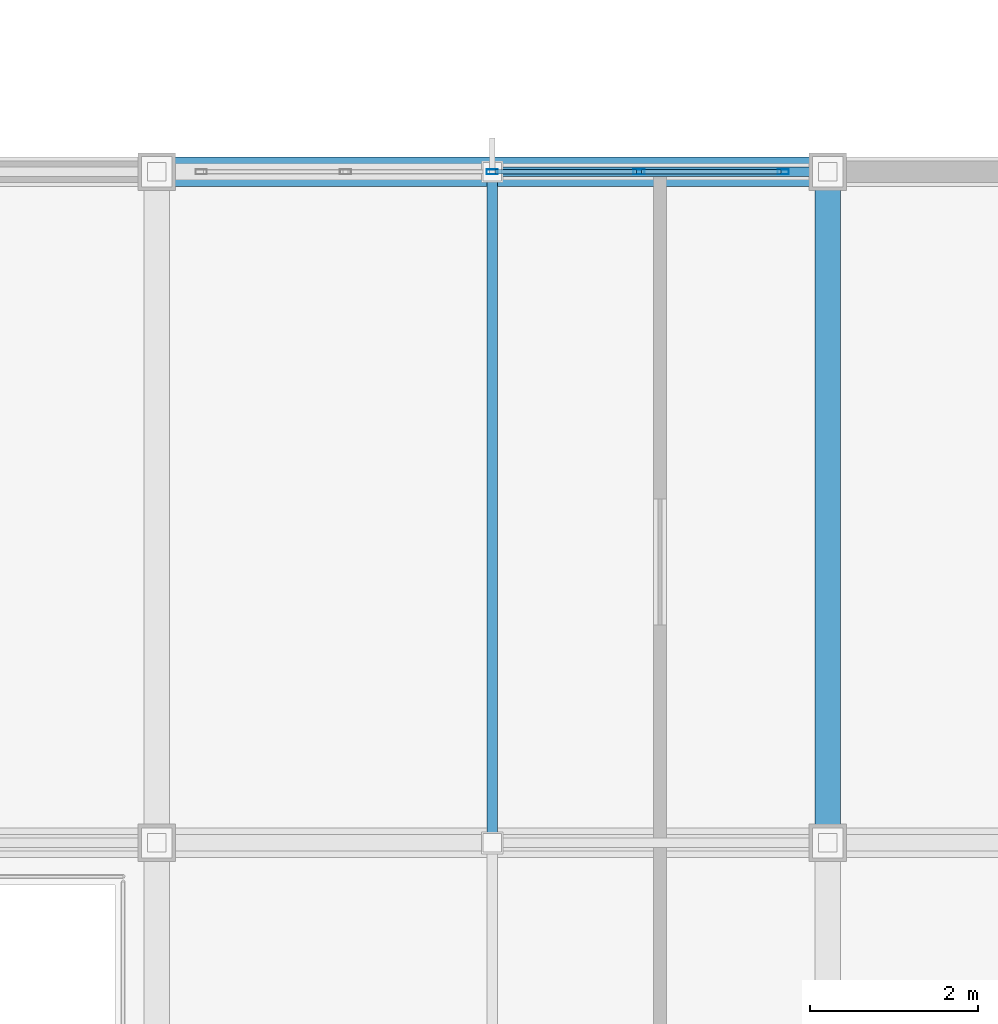
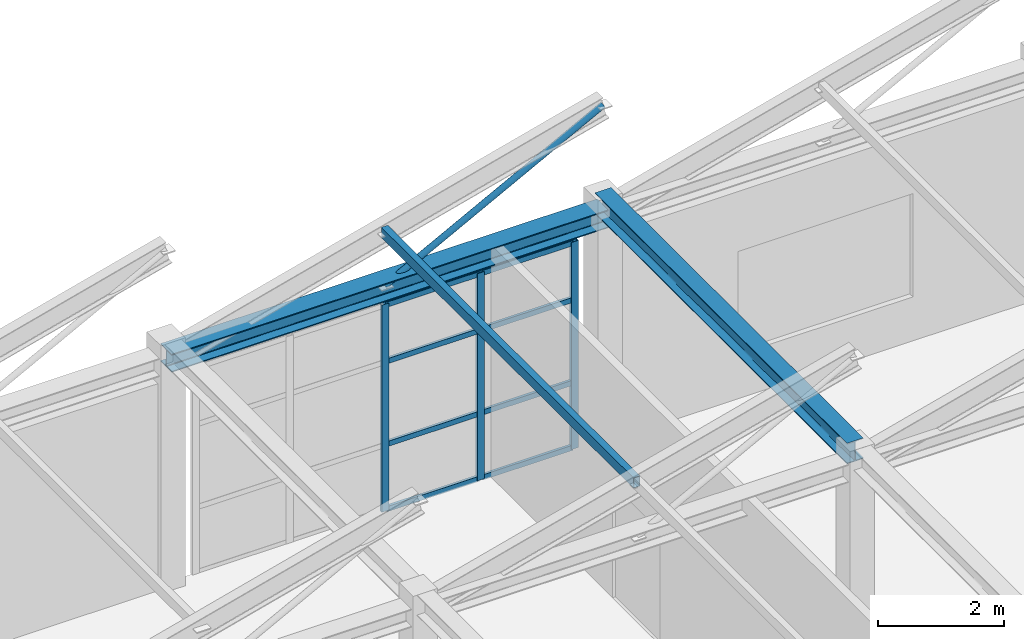
# One storey, part 8 of 63: 14 members, 1 beam, 1 element without a shape of its own.
"""IFC4 building model written with IfcOpenShell, lengths in metres."""

from ifc_helpers import new_model, si_unit, direction, frame, origin, origin_2d, place, context, subcontext, project, spatial, hollow_rectangle, hollow_circle, i_section, extrude, material, layer, layer_set, material_profile, profile_set, type_object, element, aggregate, save


model = new_model("IFC4")

# Units and contexts
model_context = context("Model", 3, precision=1e-05, world=origin(), true_north=direction((0.0, 1.0)))
body_context = subcontext(model_context, "Body", "Model", "MODEL_VIEW")
ifc_project = project(units=[si_unit("LENGTHUNIT", "METRE"), si_unit("AREAUNIT", "SQUARE_METRE"), si_unit("VOLUMEUNIT", "CUBIC_METRE"), si_unit("PLANEANGLEUNIT", "RADIAN"), si_unit("MASSUNIT", "GRAM", prefix="KILO")], contexts=[model_context])

# Site, building, storey
site_placement = place(None, origin())
site = spatial("IfcSite", under=ifc_project, at=site_placement, CompositionType="ELEMENT")
building_placement = place(site_placement, origin())
building = spatial("IfcBuilding", under=site, at=building_placement, Name="Canggui Botanical Conservatory", CompositionType="ELEMENT")
storey_placement = place(building_placement, frame((0.0, 0.0, 10.199951171875)))
storey = spatial("IfcBuildingStorey", under=building, at=storey_placement, Name="L03", CompositionType="ELEMENT", Elevation=10.199951171875)

# Beam
ifc_material_1 = material(Name="Steel Q355B", Category="steel")
ifc_material_profile_1 = material_profile(ifc_material_1, i_section(OverallWidth=0.300048828125, OverallDepth=0.39990234375, WebThickness=0.010009765625, FlangeThickness=0.01611328125, FilletRadius=0.02197265625, at=origin_2d()), Name="HM 400x300x10x16")
ifc_profile_set_1 = profile_set([ifc_material_profile_1], Name="Steel Q355B")
beam_type = type_object("IfcBeamType", Name="BM-GL03", PredefinedType="BEAM", material=ifc_profile_set_1)
beam_placement = place(storey_placement, frame((58.0, 26.0, 4.60009765625), z_axis=(0.0, 1.0, 0.0), x_axis=(-1.0, 0.0, 0.0)))
element("IfcBeam", 1, at=beam_placement, inside=storey, type_object=beam_type, Name="Visitor Clerestory Support Girder 4-3", PredefinedType="BEAM", context=body_context, shape_type="SweptSolid", body=[
    extrude(i_section(OverallWidth=0.300048828125, OverallDepth=0.39990234375, WebThickness=0.010009765625, FlangeThickness=0.01611328125, FilletRadius=0.02197265625, at=origin_2d()), origin(), (0.0, 0.0, 1.0), 8.0),
])

# Curtain wall, members
ifc_material_2 = material(Name="Thermally Broken Aluminium", Category="aluminium")
ifc_layer = layer(ifc_material_2, 0.135009765625, Name="Thermally Broken Aluminium", Category="aluminium")
ifc_layer_set = layer_set([ifc_layer], Name="Thermally Broken Aluminium")
curtain_wall_type = type_object("IfcCurtainWallType", Name="CW-STICK-A", PredefinedType="USERDEFINED", material=ifc_layer_set)
curtain_wall_placement = place(storey_placement, origin())
curtain_wall = element("IfcCurtainWall", 2, at=curtain_wall_placement, inside=storey, type_object=curtain_wall_type, Name="Facade Curtain Wall CW-VIS-L03-12", ObjectType="STICK GLAZED WALL", PredefinedType="USERDEFINED")
ifc_material_profile_2 = material_profile(ifc_material_2, hollow_rectangle(XDim=0.06005859375, YDim=0.135009765625, WallThickness=0.00341796875, at=origin_2d()), Name="CWM 60x135x3.5")
ifc_profile_set_2 = profile_set([ifc_material_profile_2], Name="Thermally Broken Aluminium")
member_type_1 = type_object("IfcMemberType", Name="CWM-04", PredefinedType="MULLION", material=ifc_profile_set_2)
member_1_placement = place(storey_placement, frame((54.0, 34.0, 0.0), z_axis=(0.0, 0.0, 1.0), x_axis=(0.0, 1.0, 0.0)))
member_1 = element("IfcMember", 3, at=member_1_placement, type_object=member_type_1, Name="CW-04 mullion 3", PredefinedType="MULLION", context=body_context, shape_type="SweptSolid", body=[
    extrude(hollow_rectangle(XDim=0.06005859375, YDim=0.135009765625, WallThickness=0.00341796875, at=origin_2d()), origin(), (0.0, 0.0, 1.0), 4.010009765625),
])
member_2_placement = place(storey_placement, frame((55.75, 34.0, 0.0), z_axis=(0.0, 0.0, 1.0), x_axis=(0.0, 1.0, 0.0)))
member_2 = element("IfcMember", 4, at=member_2_placement, type_object=member_type_1, Name="CW-04 mullion 4", PredefinedType="MULLION", context=body_context, shape_type="SweptSolid", body=[
    extrude(hollow_rectangle(XDim=0.06005859375, YDim=0.135009765625, WallThickness=0.00341796875, at=origin_2d()), origin(), (0.0, 0.0, 1.0), 4.010009765625),
])
member_3_placement = place(storey_placement, frame((57.469970703125, 34.0, 0.0), z_axis=(0.0, 0.0, 1.0), x_axis=(0.0, 1.0, 0.0)))
member_3 = element("IfcMember", 5, at=member_3_placement, type_object=member_type_1, Name="CW-04 mullion 5", PredefinedType="MULLION", context=body_context, shape_type="SweptSolid", body=[
    extrude(hollow_rectangle(XDim=0.06005859375, YDim=0.135009765625, WallThickness=0.00341796875, at=origin_2d()), origin(), (0.0, 0.0, 1.0), 4.010009765625),
])
ifc_material_profile_3 = material_profile(ifc_material_2, hollow_rectangle(XDim=0.050048828125, YDim=0.10009765625, WallThickness=0.0029296875, at=origin_2d()), Name="CWT 50x100x3")
ifc_profile_set_3 = profile_set([ifc_material_profile_3], Name="Thermally Broken Aluminium")
member_type_2 = type_object("IfcMemberType", Name="CWT-04", PredefinedType="USERDEFINED", material=ifc_profile_set_3)
member_4_placement = place(storey_placement, frame((54.030029296875, 34.0, 0.025146484375), z_axis=(1.0, 0.0, 0.0), x_axis=(0.0, 1.0, 0.0)))
member_4 = element("IfcMember", 6, at=member_4_placement, type_object=member_type_2, Name="CW-04 transom 3.1", ObjectType="TRANSOM", PredefinedType="USERDEFINED", context=body_context, shape_type="SweptSolid", body=[
    extrude(hollow_rectangle(XDim=0.050048828125, YDim=0.10009765625, WallThickness=0.0029296875, at=origin_2d()), origin(), (0.0, 0.0, 1.0), 1.68994140625),
])
member_5_placement = place(storey_placement, frame((54.030029296875, 34.0, 1.283203125), z_axis=(1.0, 0.0, 0.0), x_axis=(0.0, 1.0, 0.0)))
member_5 = element("IfcMember", 7, at=member_5_placement, type_object=member_type_2, Name="CW-04 transom 3.2", ObjectType="TRANSOM", PredefinedType="USERDEFINED", context=body_context, shape_type="SweptSolid", body=[
    extrude(hollow_rectangle(XDim=0.050048828125, YDim=0.10009765625, WallThickness=0.0029296875, at=origin_2d()), origin(), (0.0, 0.0, 1.0), 1.68994140625),
])
member_6_placement = place(storey_placement, frame((54.030029296875, 34.0, 2.88720703125), z_axis=(1.0, 0.0, 0.0), x_axis=(0.0, 1.0, 0.0)))
member_6 = element("IfcMember", 8, at=member_6_placement, type_object=member_type_2, Name="CW-04 transom 3.3", ObjectType="TRANSOM", PredefinedType="USERDEFINED", context=body_context, shape_type="SweptSolid", body=[
    extrude(hollow_rectangle(XDim=0.050048828125, YDim=0.10009765625, WallThickness=0.0029296875, at=origin_2d()), origin(), (0.0, 0.0, 1.0), 1.68994140625),
])
member_7_placement = place(storey_placement, frame((54.030029296875, 34.0, 3.985107421875), z_axis=(1.0, 0.0, 0.0), x_axis=(0.0, 1.0, 0.0)))
member_7 = element("IfcMember", 9, at=member_7_placement, type_object=member_type_2, Name="CW-04 transom 3.4", ObjectType="TRANSOM", PredefinedType="USERDEFINED", context=body_context, shape_type="SweptSolid", body=[
    extrude(hollow_rectangle(XDim=0.050048828125, YDim=0.10009765625, WallThickness=0.0029296875, at=origin_2d()), origin(), (0.0, 0.0, 1.0), 1.68994140625),
])
member_8_placement = place(storey_placement, frame((55.780029296875, 34.0, 0.025146484375), z_axis=(1.0, 0.0, 0.0), x_axis=(0.0, 1.0, 0.0)))
member_8 = element("IfcMember", 10, at=member_8_placement, type_object=member_type_2, Name="CW-04 transom 4.1", ObjectType="TRANSOM", PredefinedType="USERDEFINED", context=body_context, shape_type="SweptSolid", body=[
    extrude(hollow_rectangle(XDim=0.050048828125, YDim=0.10009765625, WallThickness=0.0029296875, at=origin_2d()), origin(), (0.0, 0.0, 1.0), 1.659912109375),
])
member_9_placement = place(storey_placement, frame((55.780029296875, 34.0, 1.283203125), z_axis=(1.0, 0.0, 0.0), x_axis=(0.0, 1.0, 0.0)))
member_9 = element("IfcMember", 11, at=member_9_placement, type_object=member_type_2, Name="CW-04 transom 4.2", ObjectType="TRANSOM", PredefinedType="USERDEFINED", context=body_context, shape_type="SweptSolid", body=[
    extrude(hollow_rectangle(XDim=0.050048828125, YDim=0.10009765625, WallThickness=0.0029296875, at=origin_2d()), origin(), (0.0, 0.0, 1.0), 1.659912109375),
])
member_10_placement = place(storey_placement, frame((55.780029296875, 34.0, 2.88720703125), z_axis=(1.0, 0.0, 0.0), x_axis=(0.0, 1.0, 0.0)))
member_10 = element("IfcMember", 12, at=member_10_placement, type_object=member_type_2, Name="CW-04 transom 4.3", ObjectType="TRANSOM", PredefinedType="USERDEFINED", context=body_context, shape_type="SweptSolid", body=[
    extrude(hollow_rectangle(XDim=0.050048828125, YDim=0.10009765625, WallThickness=0.0029296875, at=origin_2d()), origin(), (0.0, 0.0, 1.0), 1.659912109375),
])
member_11_placement = place(storey_placement, frame((55.780029296875, 34.0, 3.985107421875), z_axis=(1.0, 0.0, 0.0), x_axis=(0.0, 1.0, 0.0)))
member_11 = element("IfcMember", 13, at=member_11_placement, type_object=member_type_2, Name="CW-04 transom 4.4", ObjectType="TRANSOM", PredefinedType="USERDEFINED", context=body_context, shape_type="SweptSolid", body=[
    extrude(hollow_rectangle(XDim=0.050048828125, YDim=0.10009765625, WallThickness=0.0029296875, at=origin_2d()), origin(), (0.0, 0.0, 1.0), 1.659912109375),
])
aggregate(curtain_wall, [member_1, member_2, member_3, member_4, member_5, member_6, member_7, member_8, member_9, member_10, member_11])

# Members
ifc_material_profile_4 = material_profile(ifc_material_1, hollow_rectangle(XDim=0.1201171875, YDim=0.199951171875, WallThickness=0.008056640625, at=origin_2d()), Name="RHS 120x200x8")
ifc_profile_set_4 = profile_set([ifc_material_profile_4], Name="Steel Q355B")
member_type_3 = type_object("IfcMemberType", Name="MEM-PUR02", PredefinedType="PURLIN", material=ifc_profile_set_4)
member_12_placement = place(storey_placement, frame((54.0, 26.0, 5.400146484375), z_axis=(0.0, 1.0, 0.0), x_axis=(-1.0, 0.0, 0.0)))
element("IfcMember", 14, at=member_12_placement, inside=storey, type_object=member_type_3, Name="Visitor Sawtooth Roof Purlin 4-3", PredefinedType="PURLIN", context=body_context, shape_type="SweptSolid", body=[
    extrude(hollow_rectangle(XDim=0.1201171875, YDim=0.199951171875, WallThickness=0.008056640625, at=origin_2d()), origin(), (0.0, 0.0, 1.0), 8.0),
])
ifc_material_profile_5 = material_profile(ifc_material_1, i_section(OverallWidth=0.35009765625, OverallDepth=0.35009765625, WebThickness=0.011962890625, FlangeThickness=0.01904296875, FilletRadius=0.02001953125, at=origin_2d()), Name="HW 350x350x12x19")
ifc_profile_set_5 = profile_set([ifc_material_profile_5], Name="Steel Q355B")
member_type_4 = type_object("IfcMemberType", Name="MEM-TC09", PredefinedType="CHORD", material=ifc_profile_set_5)
member_13_placement = place(storey_placement, frame((50.0, 34.0, 4.35009765625), z_axis=(1.0, 0.0, 0.0), x_axis=(0.0, 1.0, 0.0)))
element("IfcMember", 15, at=member_13_placement, inside=storey, type_object=member_type_4, Name="Visitor Sawtooth Truss Tie Chord 4-Y34", PredefinedType="CHORD", context=body_context, shape_type="SweptSolid", body=[
    extrude(i_section(OverallWidth=0.35009765625, OverallDepth=0.35009765625, WebThickness=0.011962890625, FlangeThickness=0.01904296875, FilletRadius=0.02001953125, at=origin_2d()), origin(), (0.0, 0.0, 1.0), 8.0),
])
ifc_material_profile_6 = material_profile(ifc_material_1, hollow_circle(Radius=0.056884765625, WallThickness=0.006103515625, at=origin_2d()), Name="CHS 114x6")
ifc_profile_set_6 = profile_set([ifc_material_profile_6], Name="Steel Q355B")
member_type_5 = type_object("IfcMemberType", Name="MEM-TW03", PredefinedType="BRACE", material=ifc_profile_set_6)
member_14_placement = place(storey_placement, frame((54.0, 34.0, 4.35009765625), z_axis=(0.88541124729, 0.0, 0.464808480099), x_axis=(0.0, 1.0, 0.0)))
element("IfcMember", 16, at=member_14_placement, inside=storey, type_object=member_type_5, Name="Visitor Sawtooth Truss Diagonal 4-Y34", PredefinedType="BRACE", context=body_context, shape_type="SweptSolid", body=[
    extrude(hollow_circle(Radius=0.056884765625, WallThickness=0.006103515625, at=origin_2d()), origin(), (0.0, 0.0, 1.0), 4.517578125),
])

save(model, "model.ifc")
